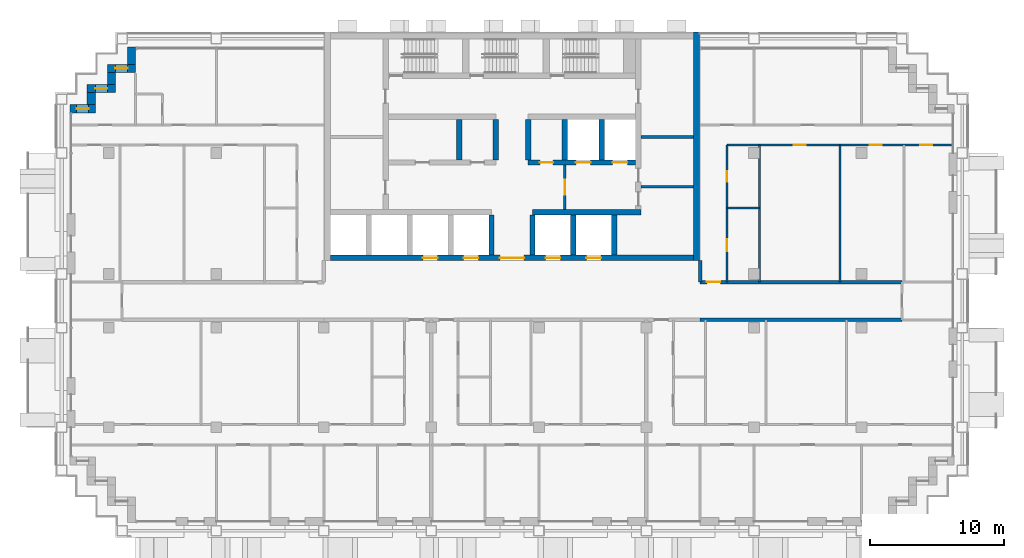
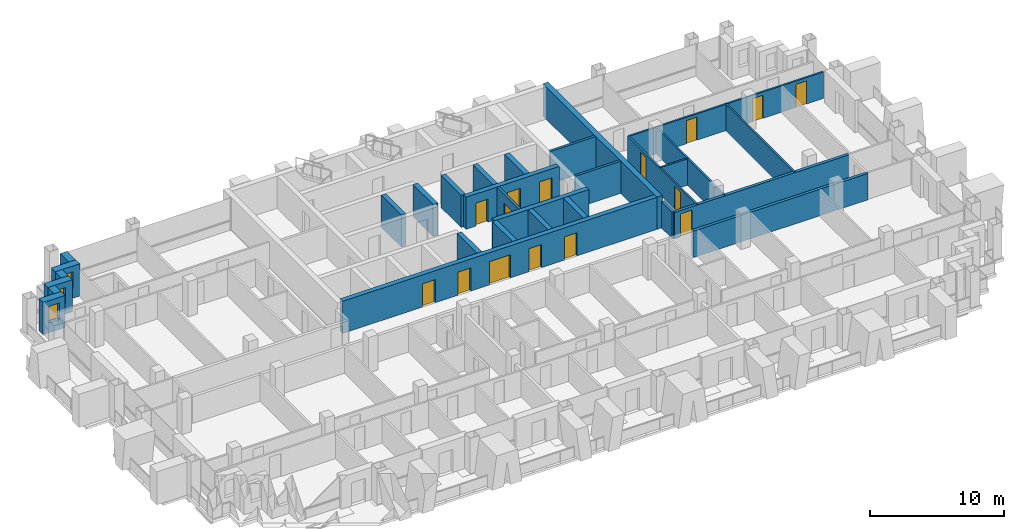
# One storey, part 10 of 16: 30 walls, 15 doors, 3 windows, 18 openings.
"""IFC4 building model written with IfcOpenShell, lengths in metres."""

from ifc_helpers import new_model, si_unit, direction, frame, frame_2d, origin, place, context, subcontext, project, spatial, rectangle, extrude, material, layer, layer_set, type_object, element, fill, save


model = new_model("IFC4")

# Units and contexts
model_context = context("Model", 3, precision=1e-05, world=origin(), true_north=direction((0.0, 1.0)))
body_context = subcontext(model_context, "Body", "Model", "MODEL_VIEW")
ifc_project = project(units=[si_unit("LENGTHUNIT", "METRE"), si_unit("AREAUNIT", "SQUARE_METRE"), si_unit("VOLUMEUNIT", "CUBIC_METRE"), si_unit("PLANEANGLEUNIT", "RADIAN"), si_unit("MASSUNIT", "GRAM", prefix="KILO")], contexts=[model_context])

# Site, building, storey
site_placement = place(None, origin())
site = spatial("IfcSite", under=ifc_project, at=site_placement, CompositionType="ELEMENT")
building_placement = place(site_placement, origin())
building = spatial("IfcBuilding", under=site, at=building_placement, Name="Vidyagriha Tower", CompositionType="ELEMENT")
storey_placement = place(building_placement, frame((0.0, 0.0, 129.39990234375)))
storey = spatial("IfcBuildingStorey", under=building, at=storey_placement, Name="L33", CompositionType="ELEMENT", Elevation=129.39990234375)

# Wall
ifc_material_1 = material(Name="Precast concrete C40/50 with brick facing", Category="concrete")
ifc_layer_1 = layer(ifc_material_1, 0.60009765625)
ifc_layer_set_1 = layer_set([ifc_layer_1], Name="Precast concrete C40/50 with brick facing")
wall_type_1 = type_object("IfcWallType", Name="Brick-faced precast wall 600", PredefinedType="STANDARD", material=ifc_layer_set_1)
wall_1_placement = place(storey_placement, frame((-28.300048828125, 18.8798828125, 0.0), z_axis=(0.0, 0.0, 1.0), x_axis=(0.0, -1.0, 0.0)))
element("IfcWall", 1, at=wall_1_placement, inside=storey, type_object=wall_type_1, Name="Stepped corner wall L33 R10", PredefinedType="STANDARD", context=body_context, shape_type="SweptSolid", body=[
    extrude(rectangle(XDim=1.27978515625, YDim=0.60009765625, at=frame_2d((0.639892578125, 0.0))), origin(), (0.0, 0.0, 1.0), 2.920166015625),
])

# Wall, opening, window
wall_2_placement = place(storey_placement, frame((-28.0, 17.300048828125, 0.0), z_axis=(0.0, 0.0, 1.0), x_axis=(-1.0, 0.0, 0.0)))
wall_2 = element("IfcWall", 2, at=wall_2_placement, inside=storey, type_object=wall_type_1, Name="Stepped corner wall L33 R11", PredefinedType="STANDARD", context=body_context, shape_type="SweptSolid", body=[
    extrude(rectangle(XDim=2.10009765625, YDim=0.60009765625, at=frame_2d((1.050048828125, 0.0))), origin(), (0.0, 0.0, 1.0), 2.920166015625),
])
opening_1_placement = place(wall_2_placement, frame((0.60009765625, 0.0, 0.89990234375)))
opening_1 = element("IfcOpeningElement", 3, at=opening_1_placement, cuts=wall_2, Name="Opening WN1", PredefinedType="OPENING", context=body_context, shape_type="SweptSolid", body=[
    extrude(rectangle(XDim=0.89990234375, YDim=1.5, at=frame_2d((0.449951171875, 0.75))), frame((0.0, 0.31005859375, 0.0), z_axis=(0.0, -1.0, 0.0), x_axis=(1.0, 0.0, 0.0)), (0.0, 0.0, 1.0), 0.6201171875),
])
ifc_material_2 = material(Name="Aluminium and glass window", Category="aluminium")
window_type = type_object("IfcWindowType", Name="Reveal window 900x1500", PartitioningType="NOTDEFINED", PredefinedType="WINDOW", material=ifc_material_2)
window_1_placement = place(opening_1_placement, origin())
window_1 = element("IfcWindow", 4, at=window_1_placement, inside=storey, type_object=window_type, Name="Reveal window L33 R11", OverallHeight=1.5, OverallWidth=0.89990234375, PartitioningType="SINGLE_PANEL", PredefinedType="WINDOW", context=body_context, shape_type="SweptSolid", body=[
    extrude(rectangle(XDim=0.89990234375, YDim=1.5, at=frame_2d((0.449951171875, 0.75))), frame((0.0, 0.030029296875, 0.0), z_axis=(0.0, -1.0, 0.0), x_axis=(1.0, 0.0, 0.0)), (0.0, 0.0, 1.0), 0.06005859375),
])
fill(opening_1, window_1)

# Wall
wall_3_placement = place(storey_placement, frame((-29.800048828125, 17.0, 0.0), z_axis=(0.0, 0.0, 1.0), x_axis=(0.0, -1.0, 0.0)))
element("IfcWall", 5, at=wall_3_placement, inside=storey, type_object=wall_type_1, Name="Stepped corner wall L33 R12", PredefinedType="STANDARD", context=body_context, shape_type="SweptSolid", body=[
    extrude(rectangle(XDim=0.89990234375, YDim=0.60009765625, at=frame_2d((0.449951171875, 0.0))), origin(), (0.0, 0.0, 1.0), 2.920166015625),
])

# Wall, opening, window
wall_4_placement = place(storey_placement, frame((-29.5, 15.800048828125, 0.0), z_axis=(0.0, 0.0, 1.0), x_axis=(-1.0, 0.0, 0.0)))
wall_4 = element("IfcWall", 6, at=wall_4_placement, inside=storey, type_object=wall_type_1, Name="Stepped corner wall L33 R13", PredefinedType="STANDARD", context=body_context, shape_type="SweptSolid", body=[
    extrude(rectangle(XDim=2.10009765625, YDim=0.60009765625, at=frame_2d((1.050048828125, 0.0))), origin(), (0.0, 0.0, 1.0), 2.920166015625),
])
opening_2_placement = place(wall_4_placement, frame((0.60009765625, 0.0, 0.89990234375)))
opening_2 = element("IfcOpeningElement", 7, at=opening_2_placement, cuts=wall_4, Name="Opening WN1", PredefinedType="OPENING", context=body_context, shape_type="SweptSolid", body=[
    extrude(rectangle(XDim=0.89990234375, YDim=1.5, at=frame_2d((0.449951171875, 0.75))), frame((0.0, 0.31005859375, 0.0), z_axis=(0.0, -1.0, 0.0), x_axis=(1.0, 0.0, 0.0)), (0.0, 0.0, 1.0), 0.6201171875),
])
window_2_placement = place(opening_2_placement, origin())
window_2 = element("IfcWindow", 8, at=window_2_placement, inside=storey, type_object=window_type, Name="Reveal window L33 R13", OverallHeight=1.5, OverallWidth=0.89990234375, PartitioningType="SINGLE_PANEL", PredefinedType="WINDOW", context=body_context, shape_type="SweptSolid", body=[
    extrude(rectangle(XDim=0.89990234375, YDim=1.5, at=frame_2d((0.449951171875, 0.75))), frame((0.0, 0.030029296875, 0.0), z_axis=(0.0, -1.0, 0.0), x_axis=(1.0, 0.0, 0.0)), (0.0, 0.0, 1.0), 0.06005859375),
])
fill(opening_2, window_2)

# Wall
wall_5_placement = place(storey_placement, frame((-31.300048828125, 15.5, 0.0), z_axis=(0.0, 0.0, 1.0), x_axis=(0.0, -1.0, 0.0)))
element("IfcWall", 9, at=wall_5_placement, inside=storey, type_object=wall_type_1, Name="Stepped corner wall L33 R14", PredefinedType="STANDARD", context=body_context, shape_type="SweptSolid", body=[
    extrude(rectangle(XDim=0.89990234375, YDim=0.60009765625, at=frame_2d((0.449951171875, 0.0))), origin(), (0.0, 0.0, 1.0), 2.920166015625),
])

# Wall, opening, window
wall_6_placement = place(storey_placement, frame((-31.0, 14.300048828125, 0.0), z_axis=(0.0, 0.0, 1.0), x_axis=(-1.0, 0.0, 0.0)))
wall_6 = element("IfcWall", 10, at=wall_6_placement, inside=storey, type_object=wall_type_1, Name="Stepped corner wall L33 R15", PredefinedType="STANDARD", context=body_context, shape_type="SweptSolid", body=[
    extrude(rectangle(XDim=1.8798828125, YDim=0.60009765625, at=frame_2d((0.93994140625, 0.0))), origin(), (0.0, 0.0, 1.0), 2.920166015625),
])
opening_3_placement = place(wall_6_placement, frame((0.489990234375, 0.0, 0.89990234375)))
opening_3 = element("IfcOpeningElement", 11, at=opening_3_placement, cuts=wall_6, Name="Opening WN1", PredefinedType="OPENING", context=body_context, shape_type="SweptSolid", body=[
    extrude(rectangle(XDim=0.89990234375, YDim=1.5, at=frame_2d((0.449951171875, 0.75))), frame((0.0, 0.31005859375, 0.0), z_axis=(0.0, -1.0, 0.0), x_axis=(1.0, 0.0, 0.0)), (0.0, 0.0, 1.0), 0.6201171875),
])
window_3_placement = place(opening_3_placement, origin())
window_3 = element("IfcWindow", 12, at=window_3_placement, inside=storey, type_object=window_type, Name="Reveal window L33 R15", OverallHeight=1.5, OverallWidth=0.89990234375, PartitioningType="SINGLE_PANEL", PredefinedType="WINDOW", context=body_context, shape_type="SweptSolid", body=[
    extrude(rectangle(XDim=0.89990234375, YDim=1.5, at=frame_2d((0.449951171875, 0.75))), frame((0.0, 0.030029296875, 0.0), z_axis=(0.0, -1.0, 0.0), x_axis=(1.0, 0.0, 0.0)), (0.0, 0.0, 1.0), 0.06005859375),
])
fill(opening_3, window_3)

# Wall, openings, doors
ifc_material_3 = material(Name="Concrete C60/75", Category="concrete")
ifc_layer_2 = layer(ifc_material_3, 0.39990234375)
ifc_layer_set_2 = layer_set([ifc_layer_2], Name="Concrete C60/75")
wall_type_2 = type_object("IfcWallType", Name="Core shear wall 400 mm", PredefinedType="SHEAR", material=ifc_layer_set_2)
wall_7_placement = place(storey_placement, frame((-13.5, 3.199951171875, 0.0)))
wall_7 = element("IfcWall", 13, at=wall_7_placement, inside=storey, type_object=wall_type_2, Name="Core front wall", PredefinedType="SHEAR", context=body_context, shape_type="SweptSolid", body=[
    extrude(rectangle(XDim=27.0, YDim=0.39990234375, at=frame_2d((13.5, 0.0))), origin(), (0.0, 0.0, 1.0), 2.920166015625),
])
opening_4_placement = place(wall_7_placement, frame((6.861083984375, 0.0, 0.0)))
opening_4 = element("IfcOpeningElement", 14, at=opening_4_placement, cuts=wall_7, Name="Opening LD33-01", PredefinedType="OPENING", context=body_context, shape_type="SweptSolid", body=[
    extrude(rectangle(XDim=1.10009765625, YDim=2.10009765625, at=frame_2d((0.550048828125, 1.050048828125))), frame((0.0, 0.2099609375, 0.0), z_axis=(0.0, -1.0, 0.0), x_axis=(1.0, 0.0, 0.0)), (0.0, 0.0, 1.0), 0.419921875),
])
opening_5_placement = place(wall_7_placement, frame((9.905517578125, 0.0, 0.0)))
opening_5 = element("IfcOpeningElement", 15, at=opening_5_placement, cuts=wall_7, Name="Opening LD33-02", PredefinedType="OPENING", context=body_context, shape_type="SweptSolid", body=[
    extrude(rectangle(XDim=1.10009765625, YDim=2.10009765625, at=frame_2d((0.550048828125, 1.050048828125))), frame((0.0, 0.2099609375, 0.0), z_axis=(0.0, -1.0, 0.0), x_axis=(1.0, 0.0, 0.0)), (0.0, 0.0, 1.0), 0.419921875),
])
opening_6_placement = place(wall_7_placement, frame((15.994384765625, 0.0, 0.0)))
opening_6 = element("IfcOpeningElement", 16, at=opening_6_placement, cuts=wall_7, Name="Opening LD33-03", PredefinedType="OPENING", context=body_context, shape_type="SweptSolid", body=[
    extrude(rectangle(XDim=1.10009765625, YDim=2.10009765625, at=frame_2d((0.550048828125, 1.050048828125))), frame((0.0, 0.2099609375, 0.0), z_axis=(0.0, -1.0, 0.0), x_axis=(1.0, 0.0, 0.0)), (0.0, 0.0, 1.0), 0.419921875),
])
opening_7_placement = place(wall_7_placement, frame((19.038818359375, 0.0, 0.0)))
opening_7 = element("IfcOpeningElement", 17, at=opening_7_placement, cuts=wall_7, Name="Opening LD33-04", PredefinedType="OPENING", context=body_context, shape_type="SweptSolid", body=[
    extrude(rectangle(XDim=1.10009765625, YDim=2.10009765625, at=frame_2d((0.550048828125, 1.050048828125))), frame((0.0, 0.2099609375, 0.0), z_axis=(0.0, -1.0, 0.0), x_axis=(1.0, 0.0, 0.0)), (0.0, 0.0, 1.0), 0.419921875),
])
opening_8_placement = place(wall_7_placement, frame((12.60009765625, 0.0, 0.0)))
opening_8 = element("IfcOpeningElement", 18, at=opening_8_placement, cuts=wall_7, Name="Opening D33-01", PredefinedType="OPENING", context=body_context, shape_type="SweptSolid", body=[
    extrude(rectangle(XDim=1.800048828125, YDim=2.10009765625, at=frame_2d((0.89990234375, 1.050048828125))), frame((0.0, 0.2099609375, 0.0), z_axis=(0.0, -1.0, 0.0), x_axis=(1.0, 0.0, 0.0)), (0.0, 0.0, 1.0), 0.419921875),
])
ifc_material_4 = material(Name="Hollow metal door leaf")
door_type_1 = type_object("IfcDoorType", Name="Core lobby double door 1800 x 2100 mm EI 60", OperationType="NOTDEFINED", PredefinedType="DOOR", material=ifc_material_4)
door_1_placement = place(opening_8_placement, frame((1.800048828125, 0.0, 0.0), z_axis=(0.0, 0.0, 1.0), x_axis=(-1.0, 0.0, 0.0)))
door_1 = element("IfcDoor", 19, at=door_1_placement, inside=storey, type_object=door_type_1, Name="Core entrance door L33", OperationType="DOUBLE_DOOR_SINGLE_SWING", OverallHeight=2.10009765625, OverallWidth=1.800048828125, PredefinedType="DOOR", context=body_context, shape_type="SweptSolid", body=[
    extrude(rectangle(XDim=1.800048828125, YDim=2.10009765625, at=frame_2d((0.89990234375, 1.050048828125))), frame((0.0, 0.02490234375, 0.0), z_axis=(0.0, -1.0, 0.0), x_axis=(1.0, 0.0, 0.0)), (0.0, 0.0, 1.0), 0.050048828125),
])
fill(opening_8, door_1)
ifc_material_5 = material(Name="Stainless steel sliding door panel", Category="steel")
door_type_2 = type_object("IfcDoorType", Name="Lift landing door 1100 x 2100 mm EI 90", OperationType="NOTDEFINED", PredefinedType="DOOR", material=ifc_material_5)
door_2_placement = place(opening_4_placement, origin())
door_2 = element("IfcDoor", 20, at=door_2_placement, inside=storey, type_object=door_type_2, Name="Landing door LR1 L33", OperationType="SLIDING_TO_LEFT", OverallHeight=2.10009765625, OverallWidth=1.10009765625, PredefinedType="DOOR", context=body_context, shape_type="SweptSolid", body=[
    extrude(rectangle(XDim=1.10009765625, YDim=2.10009765625, at=frame_2d((0.550048828125, 1.050048828125))), frame((0.0, 0.02490234375, 0.0), z_axis=(0.0, -1.0, 0.0), x_axis=(1.0, 0.0, 0.0)), (0.0, 0.0, 1.0), 0.050048828125),
])
fill(opening_4, door_2)
door_3_placement = place(opening_5_placement, origin())
door_3 = element("IfcDoor", 21, at=door_3_placement, inside=storey, type_object=door_type_2, Name="Landing door LR2 L33", OperationType="SLIDING_TO_LEFT", OverallHeight=2.10009765625, OverallWidth=1.10009765625, PredefinedType="DOOR", context=body_context, shape_type="SweptSolid", body=[
    extrude(rectangle(XDim=1.10009765625, YDim=2.10009765625, at=frame_2d((0.550048828125, 1.050048828125))), frame((0.0, 0.02490234375, 0.0), z_axis=(0.0, -1.0, 0.0), x_axis=(1.0, 0.0, 0.0)), (0.0, 0.0, 1.0), 0.050048828125),
])
fill(opening_5, door_3)
door_4_placement = place(opening_6_placement, origin())
door_4 = element("IfcDoor", 22, at=door_4_placement, inside=storey, type_object=door_type_2, Name="Landing door LR3 L33", OperationType="SLIDING_TO_LEFT", OverallHeight=2.10009765625, OverallWidth=1.10009765625, PredefinedType="DOOR", context=body_context, shape_type="SweptSolid", body=[
    extrude(rectangle(XDim=1.10009765625, YDim=2.10009765625, at=frame_2d((0.550048828125, 1.050048828125))), frame((0.0, 0.02490234375, 0.0), z_axis=(0.0, -1.0, 0.0), x_axis=(1.0, 0.0, 0.0)), (0.0, 0.0, 1.0), 0.050048828125),
])
fill(opening_6, door_4)
door_5_placement = place(opening_7_placement, origin())
door_5 = element("IfcDoor", 23, at=door_5_placement, inside=storey, type_object=door_type_2, Name="Landing door LR4 L33", OperationType="SLIDING_TO_LEFT", OverallHeight=2.10009765625, OverallWidth=1.10009765625, PredefinedType="DOOR", context=body_context, shape_type="SweptSolid", body=[
    extrude(rectangle(XDim=1.10009765625, YDim=2.10009765625, at=frame_2d((0.550048828125, 1.050048828125))), frame((0.0, 0.02490234375, 0.0), z_axis=(0.0, -1.0, 0.0), x_axis=(1.0, 0.0, 0.0)), (0.0, 0.0, 1.0), 0.050048828125),
])
fill(opening_7, door_5)

# Walls
wall_8_placement = place(storey_placement, frame((1.522216796875, 6.60009765625, 0.0)))
element("IfcWall", 24, at=wall_8_placement, inside=storey, type_object=wall_type_2, Name="Core lobby south wall east", PredefinedType="SHEAR", context=body_context, shape_type="SweptSolid", body=[
    extrude(rectangle(XDim=8.077880859375, YDim=0.39990234375, at=frame_2d((4.0390625, 0.0))), origin(), (0.0, 0.0, 1.0), 2.920166015625),
])
for number, where, z_axis, x_axis, name in (
    (25, (-1.522216796875, 3.39990234375, 0.0), (0.0, 0.0, 1.0), (0.0, 1.0, 0.0), "Core bay wall S4"),
    (26, (1.522216796875, 3.39990234375, 0.0), (0.0, 0.0, 1.0), (0.0, 1.0, 0.0), "Core bay wall S5"),
    (27, (4.566650390625, 3.39990234375, 0.0), (0.0, 0.0, 1.0), (0.0, 1.0, 0.0), "Core bay wall S6"),
    (28, (7.611083984375, 3.39990234375, 0.0), (0.0, 0.0, 1.0), (0.0, 1.0, 0.0), "Core bay wall S7"),
):
    element("IfcWall", number, at=place(storey_placement, frame(where, z_axis=z_axis, x_axis=x_axis)), inside=storey, type_object=wall_type_2, Name=name, PredefinedType="SHEAR", context=body_context, shape_type="SweptSolid", body=[
        extrude(rectangle(XDim=3.0, YDim=0.39990234375, at=frame_2d((1.5, 0.0))), origin(), (0.0, 0.0, 1.0), 2.920166015625),
    ])

# Wall, openings, doors
wall_9_placement = place(storey_placement, frame((1.199951171875, 10.300048828125, 0.0)))
wall_9 = element("IfcWall", 29, at=wall_9_placement, inside=storey, type_object=wall_type_2, Name="Core row N front wall", PredefinedType="SHEAR", context=body_context, shape_type="SweptSolid", body=[
    extrude(rectangle(XDim=8.0, YDim=0.39990234375, at=frame_2d((4.0, 0.0))), origin(), (0.0, 0.0, 1.0), 2.920166015625),
])
opening_9_placement = place(wall_9_placement, frame((3.550048828125, 0.0, 0.0)))
opening_9 = element("IfcOpeningElement", 30, at=opening_9_placement, cuts=wall_9, Name="Opening LD33-05", PredefinedType="OPENING", context=body_context, shape_type="SweptSolid", body=[
    extrude(rectangle(XDim=1.10009765625, YDim=2.10009765625, at=frame_2d((0.550048828125, 1.050048828125))), frame((0.0, 0.2099609375, 0.0), z_axis=(0.0, -1.0, 0.0), x_axis=(1.0, 0.0, 0.0)), (0.0, 0.0, 1.0), 0.419921875),
])
opening_10_placement = place(wall_9_placement, frame((6.283203125, 0.0, 0.0)))
opening_10 = element("IfcOpeningElement", 31, at=opening_10_placement, cuts=wall_9, Name="Opening LD33-06", PredefinedType="OPENING", context=body_context, shape_type="SweptSolid", body=[
    extrude(rectangle(XDim=1.10009765625, YDim=2.10009765625, at=frame_2d((0.550048828125, 1.050048828125))), frame((0.0, 0.2099609375, 0.0), z_axis=(0.0, -1.0, 0.0), x_axis=(1.0, 0.0, 0.0)), (0.0, 0.0, 1.0), 0.419921875),
])
opening_11_placement = place(wall_9_placement, frame((0.86669921875, 0.0, 0.0)))
opening_11 = element("IfcOpeningElement", 32, at=opening_11_placement, cuts=wall_9, Name="Opening D33-04", PredefinedType="OPENING", context=body_context, shape_type="SweptSolid", body=[
    extrude(rectangle(XDim=1.0, YDim=2.10009765625, at=frame_2d((0.5, 1.050048828125))), frame((0.0, 0.2099609375, 0.0), z_axis=(0.0, -1.0, 0.0), x_axis=(1.0, 0.0, 0.0)), (0.0, 0.0, 1.0), 0.419921875),
])
ifc_material_6 = material(Name="Hollow metal door leaf")
door_type_3 = type_object("IfcDoorType", Name="Core room door 1000 x 2100 mm EI 60", OperationType="NOTDEFINED", PredefinedType="DOOR", material=ifc_material_6)
door_6_placement = place(opening_11_placement, frame((1.0, 0.0, 0.0), z_axis=(0.0, 0.0, 1.0), x_axis=(-1.0, 0.0, 0.0)))
door_6 = element("IfcDoor", 33, at=door_6_placement, inside=storey, type_object=door_type_3, Name="Door Electrical Room 33.16", OperationType="SINGLE_SWING_LEFT", OverallHeight=2.10009765625, OverallWidth=1.0, PredefinedType="DOOR", context=body_context, shape_type="SweptSolid", body=[
    extrude(rectangle(XDim=1.0, YDim=2.10009765625, at=frame_2d((0.5, 1.050048828125))), frame((0.0, 0.02490234375, 0.0), z_axis=(0.0, -1.0, 0.0), x_axis=(1.0, 0.0, 0.0)), (0.0, 0.0, 1.0), 0.050048828125),
])
fill(opening_11, door_6)
door_7_placement = place(opening_9_placement, origin())
door_7 = element("IfcDoor", 34, at=door_7_placement, inside=storey, type_object=door_type_2, Name="Landing door FF1 L33", OperationType="SLIDING_TO_LEFT", OverallHeight=2.10009765625, OverallWidth=1.10009765625, PredefinedType="DOOR", context=body_context, shape_type="SweptSolid", body=[
    extrude(rectangle(XDim=1.10009765625, YDim=2.10009765625, at=frame_2d((0.550048828125, 1.050048828125))), frame((0.0, 0.02490234375, 0.0), z_axis=(0.0, -1.0, 0.0), x_axis=(1.0, 0.0, 0.0)), (0.0, 0.0, 1.0), 0.050048828125),
])
fill(opening_9, door_7)
door_8_placement = place(opening_10_placement, origin())
door_8 = element("IfcDoor", 35, at=door_8_placement, inside=storey, type_object=door_type_2, Name="Landing door FF2 L33", OperationType="SLIDING_TO_LEFT", OverallHeight=2.10009765625, OverallWidth=1.10009765625, PredefinedType="DOOR", context=body_context, shape_type="SweptSolid", body=[
    extrude(rectangle(XDim=1.10009765625, YDim=2.10009765625, at=frame_2d((0.550048828125, 1.050048828125))), frame((0.0, 0.02490234375, 0.0), z_axis=(0.0, -1.0, 0.0), x_axis=(1.0, 0.0, 0.0)), (0.0, 0.0, 1.0), 0.050048828125),
])
fill(opening_10, door_8)

# Walls
for number, where, z_axis, x_axis, name in (
    (36, (-3.933349609375, 10.5, 0.0), (0.0, 0.0, 1.0), (0.0, 1.0, 0.0), "Core bay wall N2"),
    (37, (-1.199951171875, 10.5, 0.0), (0.0, 0.0, 1.0), (0.0, 1.0, 0.0), "Core bay wall N3"),
    (38, (1.199951171875, 10.5, 0.0), (0.0, 0.0, 1.0), (0.0, 1.0, 0.0), "Core bay wall N4"),
    (39, (3.933349609375, 10.5, 0.0), (0.0, 0.0, 1.0), (0.0, 1.0, 0.0), "Core bay wall N5"),
    (40, (6.666748046875, 10.5, 0.0), (0.0, 0.0, 1.0), (0.0, 1.0, 0.0), "Core bay wall N6"),
):
    element("IfcWall", number, at=place(storey_placement, frame(where, z_axis=z_axis, x_axis=x_axis)), inside=storey, type_object=wall_type_2, Name=name, PredefinedType="SHEAR", context=body_context, shape_type="SweptSolid", body=[
        extrude(rectangle(XDim=3.0, YDim=0.39990234375, at=frame_2d((1.5, 0.0))), origin(), (0.0, 0.0, 1.0), 2.920166015625),
    ])
ifc_material_7 = material(Name="Concrete C60/75", Category="concrete")
ifc_layer_3 = layer(ifc_material_7, 0.449951171875)
ifc_layer_set_3 = layer_set([ifc_layer_3], Name="Concrete C60/75")
wall_type_3 = type_object("IfcWallType", Name="Core shear wall 450 mm", PredefinedType="SHEAR", material=ifc_layer_set_3)
wall_10_placement = place(storey_placement, frame((13.72509765625, 3.0, 0.0), z_axis=(0.0, 0.0, 1.0), x_axis=(0.0, 1.0, 0.0)))
element("IfcWall", 41, at=wall_10_placement, inside=storey, type_object=wall_type_3, Name="Core east wall", PredefinedType="SHEAR", context=body_context, shape_type="SweptSolid", body=[
    extrude(rectangle(XDim=17.0, YDim=0.449951171875, at=frame_2d((8.5, 0.0))), origin(), (0.0, 0.0, 1.0), 2.920166015625),
])
ifc_material_8 = material(Name="Fired clay brick masonry", Category="masonry")
ifc_layer_4 = layer(ifc_material_8, 0.25)
ifc_layer_set_4 = layer_set([ifc_layer_4], Name="Fired clay brick masonry")
wall_type_4 = type_object("IfcWallType", Name="Fired clay brick corridor wall 250", PredefinedType="PARTITIONING", material=ifc_layer_set_4)
wall_11_placement = place(storey_placement, frame((29.0, -1.39990234375, 0.0), z_axis=(0.0, 0.0, 1.0), x_axis=(-1.0, 0.0, 0.0)))
element("IfcWall", 42, at=wall_11_placement, inside=storey, type_object=wall_type_4, Name="Wall all-L33-w065", PredefinedType="PARTITIONING", context=body_context, shape_type="SweptSolid", body=[
    extrude(rectangle(XDim=15.0, YDim=0.25, at=frame_2d((7.5, 0.0))), origin(), (0.0, 0.0, 1.0), 2.400146484375),
])

# Wall, opening, door
wall_12_placement = place(storey_placement, frame((14.0, 1.39990234375, 0.0)))
wall_12 = element("IfcWall", 43, at=wall_12_placement, inside=storey, type_object=wall_type_4, Name="Wall all-L33-w108", PredefinedType="PARTITIONING", context=body_context, shape_type="SweptSolid", body=[
    extrude(rectangle(XDim=15.0, YDim=0.25, at=frame_2d((7.5, 0.0))), origin(), (0.0, 0.0, 1.0), 2.400146484375),
])
opening_12_placement = place(wall_12_placement, frame((0.5, 0.0, 0.0)))
opening_12 = element("IfcOpeningElement", 44, at=opening_12_placement, cuts=wall_12, Name="Opening D33-62", PredefinedType="OPENING", context=body_context, shape_type="SweptSolid", body=[
    extrude(rectangle(XDim=1.0, YDim=2.10009765625, at=frame_2d((0.5, 1.050048828125))), frame((0.0, 0.135009765625, 0.0), z_axis=(0.0, -1.0, 0.0), x_axis=(1.0, 0.0, 0.0)), (0.0, 0.0, 1.0), 0.27001953125),
])
ifc_material_9 = material(Name="Fire-rated timber door leaf EI 60", Category="wood")
door_type_4 = type_object("IfcDoorType", Name="Flat entrance fire door 1000x2100", OperationType="NOTDEFINED", PredefinedType="DOOR", material=ifc_material_9)
door_9_placement = place(opening_12_placement, origin())
door_9 = element("IfcDoor", 45, at=door_9_placement, inside=storey, type_object=door_type_4, Name="Door D33-62", OperationType="SINGLE_SWING_LEFT", OverallHeight=2.10009765625, OverallWidth=1.0, PredefinedType="DOOR", context=body_context, shape_type="SweptSolid", body=[
    extrude(rectangle(XDim=1.0, YDim=2.10009765625, at=frame_2d((0.5, 1.050048828125))), frame((0.0, 0.02490234375, 0.0), z_axis=(0.0, -1.0, 0.0), x_axis=(1.0, 0.0, 0.0)), (0.0, 0.0, 1.0), 0.050048828125),
])
fill(opening_12, door_9)

# Walls
wall_13_placement = place(storey_placement, frame((14.0, 1.39990234375, 0.0), z_axis=(0.0, 0.0, 1.0), x_axis=(0.0, 1.0, 0.0)))
element("IfcWall", 46, at=wall_13_placement, inside=storey, type_object=wall_type_4, Name="Wall all-L33-w116", PredefinedType="PARTITIONING", context=body_context, shape_type="SweptSolid", body=[
    extrude(rectangle(XDim=1.60009765625, YDim=0.25, at=frame_2d((0.800048828125, 0.0))), origin(), (0.0, 0.0, 1.0), 2.400146484375),
])
ifc_material_10 = material(Name="Gypsum board partition")
ifc_layer_5 = layer(ifc_material_10, 0.14990234375)
ifc_layer_set_5 = layer_set([ifc_layer_5], Name="Gypsum board partition")
wall_type_5 = type_object("IfcWallType", Name="Gypsum board partition 150", PredefinedType="PARTITIONING", material=ifc_layer_set_5)
wall_14_placement = place(storey_placement, frame((16.0, 6.89990234375, 0.0)))
element("IfcWall", 47, at=wall_14_placement, inside=storey, type_object=wall_type_5, Name="Wall all-L33-w093", PredefinedType="PARTITIONING", context=body_context, shape_type="SweptSolid", body=[
    extrude(rectangle(XDim=2.39990234375, YDim=0.14990234375, at=frame_2d((1.199951171875, 0.0))), origin(), (0.0, 0.0, 1.0), 2.400146484375),
])
for number, where, z_axis, x_axis, name in (
    (48, (18.39990234375, 11.60009765625, 0.0), (0.0, 0.0, 1.0), (0.0, -1.0, 0.0), "Wall all-L33-w094"),
    (49, (24.39990234375, 11.60009765625, 0.0), (0.0, 0.0, 1.0), (0.0, -1.0, 0.0), "Wall all-L33-w095"),
):
    element("IfcWall", number, at=place(storey_placement, frame(where, z_axis=z_axis, x_axis=x_axis)), inside=storey, type_object=wall_type_5, Name=name, PredefinedType="PARTITIONING", context=body_context, shape_type="SweptSolid", body=[
        extrude(rectangle(XDim=10.2001953125, YDim=0.14990234375, at=frame_2d((5.10009765625, 0.0))), origin(), (0.0, 0.0, 1.0), 2.400146484375),
    ])

# Wall, openings, doors
wall_15_placement = place(storey_placement, frame((32.719970703125, 11.60009765625, 0.0), z_axis=(0.0, 0.0, 1.0), x_axis=(-1.0, 0.0, 0.0)))
wall_15 = element("IfcWall", 50, at=wall_15_placement, inside=storey, type_object=wall_type_5, Name="Wall all-L33-w097", PredefinedType="PARTITIONING", context=body_context, shape_type="SweptSolid", body=[
    extrude(rectangle(XDim=16.719970703125, YDim=0.14990234375, at=frame_2d((8.35986328125, 0.0))), origin(), (0.0, 0.0, 1.0), 2.400146484375),
])
opening_13_placement = place(wall_15_placement, frame((10.8701171875, 0.0, 0.0)))
opening_13 = element("IfcOpeningElement", 51, at=opening_13_placement, cuts=wall_15, Name="Opening D33-56", PredefinedType="OPENING", context=body_context, shape_type="SweptSolid", body=[
    extrude(rectangle(XDim=0.89990234375, YDim=2.10009765625, at=frame_2d((0.449951171875, 1.050048828125))), frame((0.0, 0.0849609375, 0.0), z_axis=(0.0, -1.0, 0.0), x_axis=(1.0, 0.0, 0.0)), (0.0, 0.0, 1.0), 0.169921875),
])
opening_14_placement = place(wall_15_placement, frame((5.201904296875, 0.0, 0.0)))
opening_14 = element("IfcOpeningElement", 52, at=opening_14_placement, cuts=wall_15, Name="Opening D33-57", PredefinedType="OPENING", context=body_context, shape_type="SweptSolid", body=[
    extrude(rectangle(XDim=0.89990234375, YDim=2.10009765625, at=frame_2d((0.449951171875, 1.050048828125))), frame((0.0, 0.0849609375, 0.0), z_axis=(0.0, -1.0, 0.0), x_axis=(1.0, 0.0, 0.0)), (0.0, 0.0, 1.0), 0.169921875),
])
opening_15_placement = place(wall_15_placement, frame((1.445068359375, 0.0, 0.0)))
opening_15 = element("IfcOpeningElement", 53, at=opening_15_placement, cuts=wall_15, Name="Opening D33-58", PredefinedType="OPENING", context=body_context, shape_type="SweptSolid", body=[
    extrude(rectangle(XDim=0.89990234375, YDim=2.10009765625, at=frame_2d((0.449951171875, 1.050048828125))), frame((0.0, 0.0849609375, 0.0), z_axis=(0.0, -1.0, 0.0), x_axis=(1.0, 0.0, 0.0)), (0.0, 0.0, 1.0), 0.169921875),
])
ifc_material_11 = material(Name="Timber door leaf", Category="wood")
door_type_5 = type_object("IfcDoorType", Name="Room door 900x2100", OperationType="NOTDEFINED", PredefinedType="DOOR", material=ifc_material_11)
door_10_placement = place(opening_13_placement, origin())
door_10 = element("IfcDoor", 54, at=door_10_placement, inside=storey, type_object=door_type_5, Name="Door D33-56", OperationType="SINGLE_SWING_RIGHT", OverallHeight=2.10009765625, OverallWidth=0.89990234375, PredefinedType="DOOR", context=body_context, shape_type="SweptSolid", body=[
    extrude(rectangle(XDim=0.89990234375, YDim=2.10009765625, at=frame_2d((0.449951171875, 1.050048828125))), frame((0.0, 0.02490234375, 0.0), z_axis=(0.0, -1.0, 0.0), x_axis=(1.0, 0.0, 0.0)), (0.0, 0.0, 1.0), 0.050048828125),
])
fill(opening_13, door_10)
door_11_placement = place(opening_14_placement, origin())
door_11 = element("IfcDoor", 55, at=door_11_placement, inside=storey, type_object=door_type_5, Name="Door D33-57", OperationType="SINGLE_SWING_LEFT", OverallHeight=2.10009765625, OverallWidth=0.89990234375, PredefinedType="DOOR", context=body_context, shape_type="SweptSolid", body=[
    extrude(rectangle(XDim=0.89990234375, YDim=2.10009765625, at=frame_2d((0.449951171875, 1.050048828125))), frame((0.0, 0.02490234375, 0.0), z_axis=(0.0, -1.0, 0.0), x_axis=(1.0, 0.0, 0.0)), (0.0, 0.0, 1.0), 0.050048828125),
])
fill(opening_14, door_11)
door_12_placement = place(opening_15_placement, origin())
door_12 = element("IfcDoor", 56, at=door_12_placement, inside=storey, type_object=door_type_5, Name="Door D33-58", OperationType="SINGLE_SWING_RIGHT", OverallHeight=2.10009765625, OverallWidth=0.89990234375, PredefinedType="DOOR", context=body_context, shape_type="SweptSolid", body=[
    extrude(rectangle(XDim=0.89990234375, YDim=2.10009765625, at=frame_2d((0.449951171875, 1.050048828125))), frame((0.0, 0.02490234375, 0.0), z_axis=(0.0, -1.0, 0.0), x_axis=(1.0, 0.0, 0.0)), (0.0, 0.0, 1.0), 0.050048828125),
])
fill(opening_15, door_12)

ifc_material_12 = material(Name="Moisture resistant gypsum board partition")
ifc_layer_6 = layer(ifc_material_12, 0.14990234375)
ifc_layer_set_6 = layer_set([ifc_layer_6], Name="Moisture resistant gypsum board partition")
wall_type_6 = type_object("IfcWallType", Name="Gypsum board wet-area partition 150", PredefinedType="PARTITIONING", material=ifc_layer_set_6)
wall_16_placement = place(storey_placement, frame((16.0, 11.60009765625, 0.0), z_axis=(0.0, 0.0, 1.0), x_axis=(0.0, -1.0, 0.0)))
wall_16 = element("IfcWall", 57, at=wall_16_placement, inside=storey, type_object=wall_type_6, Name="Wall all-L33-w090", PredefinedType="PARTITIONING", context=body_context, shape_type="SweptSolid", body=[
    extrude(rectangle(XDim=10.2001953125, YDim=0.14990234375, at=frame_2d((5.10009765625, 0.0))), origin(), (0.0, 0.0, 1.0), 2.400146484375),
])
opening_16_placement = place(wall_16_placement, frame((7.0, 0.0, 0.0)))
opening_16 = element("IfcOpeningElement", 58, at=opening_16_placement, cuts=wall_16, Name="Opening D33-54", PredefinedType="OPENING", context=body_context, shape_type="SweptSolid", body=[
    extrude(rectangle(XDim=0.89990234375, YDim=2.10009765625, at=frame_2d((0.449951171875, 1.050048828125))), frame((0.0, 0.0849609375, 0.0), z_axis=(0.0, -1.0, 0.0), x_axis=(1.0, 0.0, 0.0)), (0.0, 0.0, 1.0), 0.169921875),
])
opening_17_placement = place(wall_16_placement, frame((1.949951171875, 0.0, 0.0)))
opening_17 = element("IfcOpeningElement", 59, at=opening_17_placement, cuts=wall_16, Name="Opening D33-55", PredefinedType="OPENING", context=body_context, shape_type="SweptSolid", body=[
    extrude(rectangle(XDim=0.800048828125, YDim=2.10009765625, at=frame_2d((0.39990234375, 1.050048828125))), frame((0.0, 0.0849609375, 0.0), z_axis=(0.0, -1.0, 0.0), x_axis=(1.0, 0.0, 0.0)), (0.0, 0.0, 1.0), 0.169921875),
])
ifc_material_13 = material(Name="Timber door leaf", Category="wood")
door_type_6 = type_object("IfcDoorType", Name="Bathroom door 800x2100", OperationType="NOTDEFINED", PredefinedType="DOOR", material=ifc_material_13)
door_13_placement = place(opening_17_placement, origin())
door_13 = element("IfcDoor", 60, at=door_13_placement, inside=storey, type_object=door_type_6, Name="Door D33-55", OperationType="SINGLE_SWING_RIGHT", OverallHeight=2.10009765625, OverallWidth=0.800048828125, PredefinedType="DOOR", context=body_context, shape_type="SweptSolid", body=[
    extrude(rectangle(XDim=0.800048828125, YDim=2.10009765625, at=frame_2d((0.39990234375, 1.050048828125))), frame((0.0, 0.02490234375, 0.0), z_axis=(0.0, -1.0, 0.0), x_axis=(1.0, 0.0, 0.0)), (0.0, 0.0, 1.0), 0.050048828125),
])
fill(opening_17, door_13)
ifc_material_14 = material(Name="Timber door leaf", Category="wood")
door_type_7 = type_object("IfcDoorType", Name="Kitchen door 900x2100", OperationType="NOTDEFINED", PredefinedType="DOOR", material=ifc_material_14)
door_14_placement = place(opening_16_placement, origin())
door_14 = element("IfcDoor", 61, at=door_14_placement, inside=storey, type_object=door_type_7, Name="Door D33-54", OperationType="SINGLE_SWING_LEFT", OverallHeight=2.10009765625, OverallWidth=0.89990234375, PredefinedType="DOOR", context=body_context, shape_type="SweptSolid", body=[
    extrude(rectangle(XDim=0.89990234375, YDim=2.10009765625, at=frame_2d((0.449951171875, 1.050048828125))), frame((0.0, 0.02490234375, 0.0), z_axis=(0.0, -1.0, 0.0), x_axis=(1.0, 0.0, 0.0)), (0.0, 0.0, 1.0), 0.050048828125),
])
fill(opening_16, door_14)

# Wall, opening, door
ifc_material_15 = material(Name="Blockwork 15 MPa", Category="masonry")
ifc_layer_7 = layer(ifc_material_15, 0.199951171875)
ifc_layer_set_7 = layer_set([ifc_layer_7], Name="Blockwork 15 MPa")
wall_type_7 = type_object("IfcWallType", Name="Service room partition 200 mm", PredefinedType="PARTITIONING", material=ifc_layer_set_7)
wall_17_placement = place(storey_placement, frame((3.933349609375, 6.800048828125, 0.0), z_axis=(0.0, 0.0, 1.0), x_axis=(0.0, 1.0, 0.0)))
wall_17 = element("IfcWall", 62, at=wall_17_placement, inside=storey, type_object=wall_type_7, Name="Fire-fighting lobby west wall", PredefinedType="PARTITIONING", context=body_context, shape_type="SweptSolid", body=[
    extrude(rectangle(XDim=3.300048828125, YDim=0.199951171875, at=frame_2d((1.64990234375, 0.0))), origin(), (0.0, 0.0, 1.0), 2.920166015625),
])
opening_18_placement = place(wall_17_placement, frame((1.10009765625, 0.0, 0.0)))
opening_18 = element("IfcOpeningElement", 63, at=opening_18_placement, cuts=wall_17, Name="Opening D33-05", PredefinedType="OPENING", context=body_context, shape_type="SweptSolid", body=[
    extrude(rectangle(XDim=1.10009765625, YDim=2.10009765625, at=frame_2d((0.550048828125, 1.050048828125))), frame((0.0, 0.10986328125, 0.0), z_axis=(0.0, -1.0, 0.0), x_axis=(1.0, 0.0, 0.0)), (0.0, 0.0, 1.0), 0.219970703125),
])
ifc_material_16 = material(Name="Hollow metal door leaf")
door_type_8 = type_object("IfcDoorType", Name="Fire-fighting lobby door 1100 x 2100 mm EI 90", OperationType="NOTDEFINED", PredefinedType="DOOR", material=ifc_material_16)
door_15_placement = place(opening_18_placement, origin())
door_15 = element("IfcDoor", 64, at=door_15_placement, inside=storey, type_object=door_type_8, Name="Fire-fighting lobby door L33", OperationType="SINGLE_SWING_RIGHT", OverallHeight=2.10009765625, OverallWidth=1.10009765625, PredefinedType="DOOR", context=body_context, shape_type="SweptSolid", body=[
    extrude(rectangle(XDim=1.10009765625, YDim=2.10009765625, at=frame_2d((0.550048828125, 1.050048828125))), frame((0.0, 0.02490234375, 0.0), z_axis=(0.0, -1.0, 0.0), x_axis=(1.0, 0.0, 0.0)), (0.0, 0.0, 1.0), 0.050048828125),
])
fill(opening_18, door_15)

# Walls
for number, where, name in (
    (65, (9.60009765625, 8.5, 0.0), "Core room partition E1"),
    (66, (9.60009765625, 12.199951171875, 0.0), "Core room partition E2"),
):
    element("IfcWall", number, at=place(storey_placement, frame(where)), inside=storey, type_object=wall_type_7, Name=name, PredefinedType="PARTITIONING", context=body_context, shape_type="SweptSolid", body=[
        extrude(rectangle(XDim=3.89990234375, YDim=0.199951171875, at=frame_2d((1.949951171875, 0.0))), origin(), (0.0, 0.0, 1.0), 2.920166015625),
    ])

save(model, "model.ifc")
